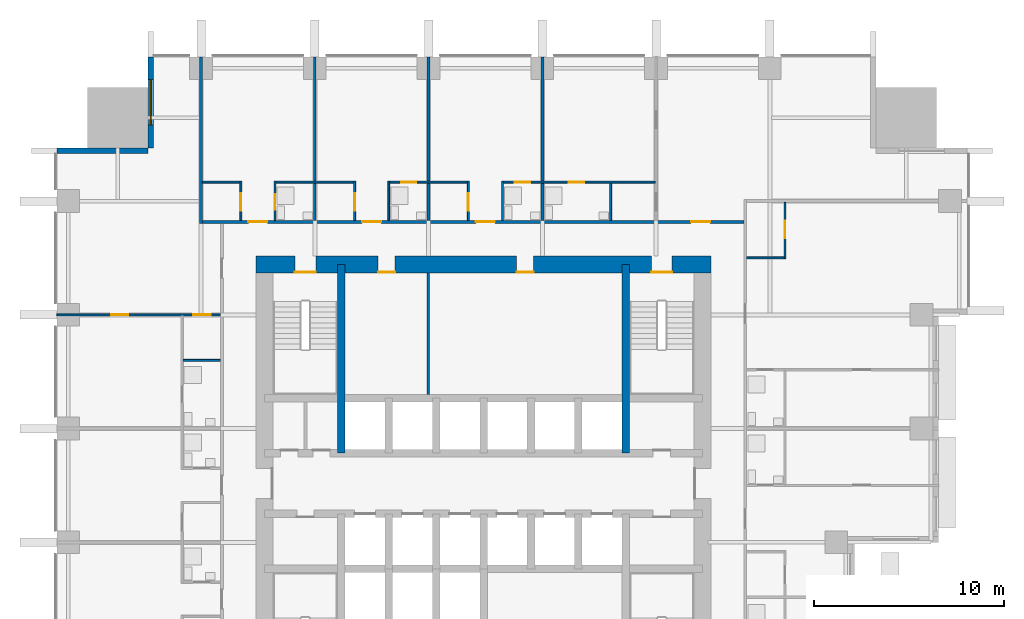
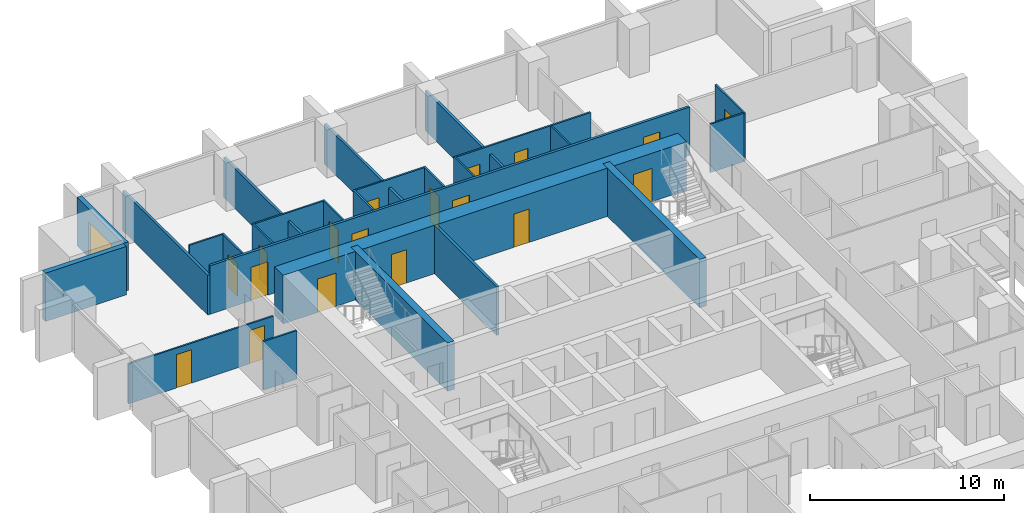
# One storey, part 7 of 10: 26 walls, 18 doors, 1 window, 19 openings.
"""IFC4 building model written with IfcOpenShell, lengths in metres."""

from ifc_helpers import new_model, si_unit, direction, frame, frame_2d, origin, place, context, subcontext, project, spatial, rectangle, extrude, material, layer, layer_set, type_object, element, fill, save


model = new_model("IFC4")

# Units and contexts
model_context = context("Model", 3, precision=1e-05, world=origin(), true_north=direction((0.0, 1.0)))
body_context = subcontext(model_context, "Body", "Model", "MODEL_VIEW")
ifc_project = project(units=[si_unit("LENGTHUNIT", "METRE"), si_unit("AREAUNIT", "SQUARE_METRE"), si_unit("VOLUMEUNIT", "CUBIC_METRE"), si_unit("PLANEANGLEUNIT", "RADIAN"), si_unit("MASSUNIT", "GRAM", prefix="KILO")], contexts=[model_context])

# Site, building, storey
site_placement = place(None, origin())
site = spatial("IfcSite", under=ifc_project, at=site_placement, CompositionType="ELEMENT")
building_placement = place(site_placement, origin())
building = spatial("IfcBuilding", under=site, at=building_placement, Name="Amberfall Residences", CompositionType="ELEMENT")
storey_placement = place(building_placement, frame((0.0, 0.0, 30.10009765625)))
storey = spatial("IfcBuildingStorey", under=building, at=storey_placement, Name="L07", CompositionType="ELEMENT", Elevation=30.10009765625)

# Wall, opening, window
ifc_material_1 = material(Name="Pale stone cladding on insulated backing", Category="masonry")
ifc_layer_1 = layer(ifc_material_1, 0.300048828125)
ifc_layer_set_1 = layer_set([ifc_layer_1], Name="Bronze clad wall 300")
wall_type_1 = type_object("IfcWallType", Name="Bronze clad wall 300", PredefinedType="SOLIDWALL", material=ifc_layer_set_1)
wall_1_placement = place(storey_placement, frame((56.949951171875, 68.0, 0.0), z_axis=(0.0, 0.0, 1.0), x_axis=(0.0, -1.0, 0.0)))
wall_1 = element("IfcWall", 1, at=wall_1_placement, inside=storey, type_object=wall_type_1, Name="External wall L07 NW", PredefinedType="SOLIDWALL", context=body_context, shape_type="SweptSolid", body=[
    extrude(rectangle(XDim=4.800048828125, YDim=0.300048828125, at=frame_2d((2.39990234375, 0.0))), origin(), (0.0, 0.0, 1.0), 3.0498046875),
])
opening_1_placement = place(wall_1_placement, frame((1.199951171875, 0.0, 0.14990234375)))
opening_1 = element("IfcOpeningElement", 2, at=opening_1_placement, cuts=wall_1, Name="Opening WN5", PredefinedType="OPENING", context=body_context, shape_type="SweptSolid", body=[
    extrude(rectangle(XDim=2.39990234375, YDim=2.10009765625, at=frame_2d((1.199951171875, 1.050048828125))), frame((0.0, 0.159912109375, 0.0), z_axis=(0.0, -1.0, 0.0), x_axis=(1.0, 0.0, 0.0)), (0.0, 0.0, 1.0), 0.320068359375),
])
ifc_material_2 = material(Name="Bronze aluminium framed glazing", Category="aluminium")
window_type = type_object("IfcWindowType", Name="Glazed opening 2400 x 2100 bronze", PartitioningType="DOUBLE_PANEL_VERTICAL", PredefinedType="WINDOW", material=ifc_material_2)
window_placement = place(opening_1_placement, origin())
window = element("IfcWindow", 3, at=window_placement, inside=storey, type_object=window_type, Name="Window L07 NW", OverallHeight=2.10009765625, OverallWidth=2.39990234375, PartitioningType="DOUBLE_PANEL_VERTICAL", PredefinedType="WINDOW", context=body_context, shape_type="SweptSolid", body=[
    extrude(rectangle(XDim=2.39990234375, YDim=2.10009765625, at=frame_2d((1.199951171875, 1.050048828125))), frame((0.0, 0.030029296875, 0.0), z_axis=(0.0, -1.0, 0.0), x_axis=(1.0, 0.0, 0.0)), (0.0, 0.0, 1.0), 0.06005859375),
])
fill(opening_1, window)

# Walls
wall_2_placement = place(storey_placement, frame((56.800048828125, 63.050048828125, 0.0), z_axis=(0.0, 0.0, 1.0), x_axis=(-1.0, 0.0, 0.0)))
element("IfcWall", 4, at=wall_2_placement, inside=storey, type_object=wall_type_1, Name="External wall L07 NW", PredefinedType="SOLIDWALL", context=body_context, shape_type="SweptSolid", body=[
    extrude(rectangle(XDim=4.800048828125, YDim=0.300048828125, at=frame_2d((2.39990234375, 0.0))), origin(), (0.0, 0.0, 1.0), 3.0498046875),
])
ifc_material_3 = material(Name="Concrete C80", Category="concrete")
ifc_layer_2 = layer(ifc_material_3, 0.39990234375)
ifc_layer_set_2 = layer_set([ifc_layer_2], Name="Core wall 400 C80")
wall_type_2 = type_object("IfcWallType", Name="Core wall 400 C80", PredefinedType="SHEAR", material=ifc_layer_set_2)
for number, where, z_axis, x_axis, name in (
    (5, (67.0, 47.10009765625, 0.0), (0.0, 0.0, 1.0), (0.0, 1.0, 0.0), "Core wall RW2 L07 V45N"),
    (6, (82.0, 47.10009765625, 0.0), (0.0, 0.0, 1.0), (0.0, 1.0, 0.0), "Core wall RW2 L07 V195N"),
):
    element("IfcWall", number, at=place(storey_placement, frame(where, z_axis=z_axis, x_axis=x_axis)), inside=storey, type_object=wall_type_2, Name=name, PredefinedType="SHEAR", context=body_context, shape_type="SweptSolid", body=[
        extrude(rectangle(XDim=9.949951171875, YDim=0.39990234375, at=frame_2d((4.97509765625, 0.0))), origin(), (0.0, 0.0, 1.0), 3.0498046875),
    ])

# Wall, openings, doors
ifc_layer_3 = layer(ifc_material_3, 0.89990234375)
ifc_layer_set_3 = layer_set([ifc_layer_3], Name="Core wall 900 C80")
wall_type_3 = type_object("IfcWallType", Name="Core wall 900 C80", PredefinedType="SHEAR", material=ifc_layer_set_3)
wall_3_placement = place(storey_placement, frame((62.5, 57.050048828125, 0.0), z_axis=(0.0, 0.0, 1.0), x_axis=(1.0, 0.0, 0.0)))
wall_3 = element("IfcWall", 7, at=wall_3_placement, inside=storey, type_object=wall_type_3, Name="Core wall RW1 L07 ON", PredefinedType="SHEAR", context=body_context, shape_type="SweptSolid", body=[
    extrude(rectangle(XDim=24.0, YDim=0.89990234375, at=frame_2d((12.0, 0.0))), origin(), (0.0, 0.0, 1.0), 3.0498046875),
])
opening_2_placement = place(wall_3_placement, frame((20.85009765625, 0.0, 0.0)))
opening_2 = element("IfcOpeningElement", 8, at=opening_2_placement, cuts=wall_3, Name="Opening SD1", PredefinedType="OPENING", context=body_context, shape_type="SweptSolid", body=[
    extrude(rectangle(XDim=1.10009765625, YDim=2.10009765625, at=frame_2d((0.550048828125, 1.050048828125))), frame((0.0, 0.4599609375, 0.0), z_axis=(0.0, -1.0, 0.0), x_axis=(1.0, 0.0, 0.0)), (0.0, 0.0, 1.0), 0.919921875),
])
opening_3_placement = place(wall_3_placement, frame((2.050048828125, 0.0, 0.0)))
opening_3 = element("IfcOpeningElement", 9, at=opening_3_placement, cuts=wall_3, Name="Opening SD1", PredefinedType="OPENING", context=body_context, shape_type="SweptSolid", body=[
    extrude(rectangle(XDim=1.10009765625, YDim=2.10009765625, at=frame_2d((0.550048828125, 1.050048828125))), frame((0.0, 0.4599609375, 0.0), z_axis=(0.0, -1.0, 0.0), x_axis=(1.0, 0.0, 0.0)), (0.0, 0.0, 1.0), 0.919921875),
])
opening_4_placement = place(wall_3_placement, frame((6.43994140625, 0.0, 0.0)))
opening_4 = element("IfcOpeningElement", 10, at=opening_4_placement, cuts=wall_3, Name="Opening RD1", PredefinedType="OPENING", context=body_context, shape_type="SweptSolid", body=[
    extrude(rectangle(XDim=0.89990234375, YDim=2.10009765625, at=frame_2d((0.449951171875, 1.050048828125))), frame((0.0, 0.4599609375, 0.0), z_axis=(0.0, -1.0, 0.0), x_axis=(1.0, 0.0, 0.0)), (0.0, 0.0, 1.0), 0.919921875),
])
opening_5_placement = place(wall_3_placement, frame((13.739990234375, 0.0, 0.0)))
opening_5 = element("IfcOpeningElement", 11, at=opening_5_placement, cuts=wall_3, Name="Opening RD1", PredefinedType="OPENING", context=body_context, shape_type="SweptSolid", body=[
    extrude(rectangle(XDim=0.89990234375, YDim=2.10009765625, at=frame_2d((0.449951171875, 1.050048828125))), frame((0.0, 0.4599609375, 0.0), z_axis=(0.0, -1.0, 0.0), x_axis=(1.0, 0.0, 0.0)), (0.0, 0.0, 1.0), 0.919921875),
])
ifc_material_4 = material(Name="Steel fire door set", Category="steel")
door_type_1 = type_object("IfcDoorType", Name="Service room door 900 x 2100", OperationType="SINGLE_SWING_LEFT", PredefinedType="DOOR", material=ifc_material_4)
door_1_placement = place(opening_4_placement, origin())
door_1 = element("IfcDoor", 12, at=door_1_placement, inside=storey, type_object=door_type_1, Name="RD1 L07", OperationType="SINGLE_SWING_RIGHT", OverallHeight=2.10009765625, OverallWidth=0.89990234375, PredefinedType="DOOR", context=body_context, shape_type="SweptSolid", body=[
    extrude(rectangle(XDim=0.89990234375, YDim=2.10009765625, at=frame_2d((0.449951171875, 1.050048828125))), frame((0.0, -0.3876953125, 0.0), z_axis=(0.0, -1.0, 0.0), x_axis=(1.0, 0.0, 0.0)), (0.0, 0.0, 1.0), 0.050048828125),
])
fill(opening_4, door_1)
door_2_placement = place(opening_5_placement, origin())
door_2 = element("IfcDoor", 13, at=door_2_placement, inside=storey, type_object=door_type_1, Name="RD1 L07", OperationType="SINGLE_SWING_RIGHT", OverallHeight=2.10009765625, OverallWidth=0.89990234375, PredefinedType="DOOR", context=body_context, shape_type="SweptSolid", body=[
    extrude(rectangle(XDim=0.89990234375, YDim=2.10009765625, at=frame_2d((0.449951171875, 1.050048828125))), frame((0.0, -0.3876953125, 0.0), z_axis=(0.0, -1.0, 0.0), x_axis=(1.0, 0.0, 0.0)), (0.0, 0.0, 1.0), 0.050048828125),
])
fill(opening_5, door_2)
door_type_2 = type_object("IfcDoorType", Name="Stair door 1100 x 2100", OperationType="SINGLE_SWING_LEFT", PredefinedType="DOOR", material=ifc_material_4)
door_3_placement = place(opening_2_placement, origin())
door_3 = element("IfcDoor", 14, at=door_3_placement, inside=storey, type_object=door_type_2, Name="SD1 L07", OperationType="SINGLE_SWING_RIGHT", OverallHeight=2.10009765625, OverallWidth=1.10009765625, PredefinedType="DOOR", context=body_context, shape_type="SweptSolid", body=[
    extrude(rectangle(XDim=1.10009765625, YDim=2.10009765625, at=frame_2d((0.550048828125, 1.050048828125))), frame((0.0, -0.3876953125, 0.0), z_axis=(0.0, -1.0, 0.0), x_axis=(1.0, 0.0, 0.0)), (0.0, 0.0, 1.0), 0.050048828125),
])
fill(opening_2, door_3)
door_4_placement = place(opening_3_placement, origin())
door_4 = element("IfcDoor", 15, at=door_4_placement, inside=storey, type_object=door_type_2, Name="SD1 L07", OperationType="SINGLE_SWING_LEFT", OverallHeight=2.10009765625, OverallWidth=1.10009765625, PredefinedType="DOOR", context=body_context, shape_type="SweptSolid", body=[
    extrude(rectangle(XDim=1.10009765625, YDim=2.10009765625, at=frame_2d((0.550048828125, 1.050048828125))), frame((0.0, -0.3876953125, 0.0), z_axis=(0.0, -1.0, 0.0), x_axis=(1.0, 0.0, 0.0)), (0.0, 0.0, 1.0), 0.050048828125),
])
fill(opening_3, door_4)

# Wall, opening, door
ifc_material_5 = material(Name="Gypsum board on metal stud")
ifc_layer_4 = layer(ifc_material_5, 0.10009765625)
ifc_layer_set_4 = layer_set([ifc_layer_4], Name="Flat partition 100")
wall_type_4 = type_object("IfcWallType", Name="Flat partition 100", PredefinedType="PARTITIONING", material=ifc_layer_set_4)
wall_4_placement = place(storey_placement, frame((61.699951171875, 59.375, 0.0), z_axis=(0.0, 0.0, 1.0), x_axis=(0.0, 1.0, 0.0)))
wall_4 = element("IfcWall", 16, at=wall_4_placement, inside=storey, type_object=wall_type_4, Name="Partition 005", PredefinedType="PARTITIONING", context=body_context, shape_type="SweptSolid", body=[
    extrude(rectangle(XDim=2.074951171875, YDim=0.10009765625, at=frame_2d((1.03759765625, 0.0))), origin(), (0.0, 0.0, 1.0), 3.0498046875),
])
opening_6_placement = place(wall_4_placement, frame((0.52490234375, 0.0, 0.0)))
opening_6 = element("IfcOpeningElement", 17, at=opening_6_placement, cuts=wall_4, Name="Opening D41", PredefinedType="OPENING", context=body_context, shape_type="SweptSolid", body=[
    extrude(rectangle(XDim=0.89990234375, YDim=2.10009765625, at=frame_2d((0.449951171875, 1.050048828125))), frame((0.0, 0.06005859375, 0.0), z_axis=(0.0, -1.0, 0.0), x_axis=(1.0, 0.0, 0.0)), (0.0, 0.0, 1.0), 0.1201171875),
])
ifc_material_6 = material(Name="Timber", Category="wood")
door_type_3 = type_object("IfcDoorType", Name="Internal door 900 x 2100", OperationType="SINGLE_SWING_LEFT", PredefinedType="DOOR", material=ifc_material_6)
door_5_placement = place(opening_6_placement, origin())
door_5 = element("IfcDoor", 18, at=door_5_placement, inside=storey, type_object=door_type_3, Name="Door 0707 kitchen", OperationType="SINGLE_SWING_LEFT", OverallHeight=2.10009765625, OverallWidth=0.89990234375, PredefinedType="DOOR", context=body_context, shape_type="SweptSolid", body=[
    extrude(rectangle(XDim=0.89990234375, YDim=2.10009765625, at=frame_2d((0.449951171875, 1.050048828125))), frame((0.0, 0.02490234375, 0.0), z_axis=(0.0, -1.0, 0.0), x_axis=(1.0, 0.0, 0.0)), (0.0, 0.0, 1.0), 0.050048828125),
])
fill(opening_6, door_5)

wall_5_placement = place(storey_placement, frame((63.5, 61.449951171875, 0.0), z_axis=(0.0, 0.0, 1.0), x_axis=(0.0, -1.0, 0.0)))
wall_5 = element("IfcWall", 19, at=wall_5_placement, inside=storey, type_object=wall_type_4, Name="Partition 006", PredefinedType="PARTITIONING", context=body_context, shape_type="SweptSolid", body=[
    extrude(rectangle(XDim=2.074951171875, YDim=0.10009765625, at=frame_2d((1.03759765625, 0.0))), origin(), (0.0, 0.0, 1.0), 3.0498046875),
])
opening_7_placement = place(wall_5_placement, frame((0.699951171875, 0.0, 0.0)))
opening_7 = element("IfcOpeningElement", 20, at=opening_7_placement, cuts=wall_5, Name="Opening D42", PredefinedType="OPENING", context=body_context, shape_type="SweptSolid", body=[
    extrude(rectangle(XDim=0.800048828125, YDim=2.10009765625, at=frame_2d((0.39990234375, 1.050048828125))), frame((0.0, 0.06005859375, 0.0), z_axis=(0.0, -1.0, 0.0), x_axis=(1.0, 0.0, 0.0)), (0.0, 0.0, 1.0), 0.1201171875),
])
door_type_4 = type_object("IfcDoorType", Name="Bathroom door 800 x 2100", OperationType="SINGLE_SWING_LEFT", PredefinedType="DOOR", material=ifc_material_6)
door_6_placement = place(opening_7_placement, origin())
door_6 = element("IfcDoor", 21, at=door_6_placement, inside=storey, type_object=door_type_4, Name="Door 0707 bath1", OperationType="SINGLE_SWING_LEFT", OverallHeight=2.10009765625, OverallWidth=0.800048828125, PredefinedType="DOOR", context=body_context, shape_type="SweptSolid", body=[
    extrude(rectangle(XDim=0.800048828125, YDim=2.10009765625, at=frame_2d((0.39990234375, 1.050048828125))), frame((0.0, 0.02490234375, 0.0), z_axis=(0.0, -1.0, 0.0), x_axis=(1.0, 0.0, 0.0)), (0.0, 0.0, 1.0), 0.050048828125),
])
fill(opening_7, door_6)

wall_6_placement = place(storey_placement, frame((67.699951171875, 59.375, 0.0), z_axis=(0.0, 0.0, 1.0), x_axis=(0.0, 1.0, 0.0)))
wall_6 = element("IfcWall", 22, at=wall_6_placement, inside=storey, type_object=wall_type_4, Name="Partition 007", PredefinedType="PARTITIONING", context=body_context, shape_type="SweptSolid", body=[
    extrude(rectangle(XDim=2.074951171875, YDim=0.10009765625, at=frame_2d((1.03759765625, 0.0))), origin(), (0.0, 0.0, 1.0), 3.0498046875),
])
opening_8_placement = place(wall_6_placement, frame((0.52490234375, 0.0, 0.0)))
opening_8 = element("IfcOpeningElement", 23, at=opening_8_placement, cuts=wall_6, Name="Opening D41", PredefinedType="OPENING", context=body_context, shape_type="SweptSolid", body=[
    extrude(rectangle(XDim=0.89990234375, YDim=2.10009765625, at=frame_2d((0.449951171875, 1.050048828125))), frame((0.0, 0.06005859375, 0.0), z_axis=(0.0, -1.0, 0.0), x_axis=(1.0, 0.0, 0.0)), (0.0, 0.0, 1.0), 0.1201171875),
])
door_7_placement = place(opening_8_placement, origin())
door_7 = element("IfcDoor", 24, at=door_7_placement, inside=storey, type_object=door_type_3, Name="Door 0708 kitchen", OperationType="SINGLE_SWING_LEFT", OverallHeight=2.10009765625, OverallWidth=0.89990234375, PredefinedType="DOOR", context=body_context, shape_type="SweptSolid", body=[
    extrude(rectangle(XDim=0.89990234375, YDim=2.10009765625, at=frame_2d((0.449951171875, 1.050048828125))), frame((0.0, 0.02490234375, 0.0), z_axis=(0.0, -1.0, 0.0), x_axis=(1.0, 0.0, 0.0)), (0.0, 0.0, 1.0), 0.050048828125),
])
fill(opening_8, door_7)

# Wall
wall_7_placement = place(storey_placement, frame((69.5, 59.375, 0.0), z_axis=(0.0, 0.0, 1.0), x_axis=(0.0, 1.0, 0.0)))
element("IfcWall", 25, at=wall_7_placement, inside=storey, type_object=wall_type_4, Name="Partition 009", PredefinedType="PARTITIONING", context=body_context, shape_type="SweptSolid", body=[
    extrude(rectangle(XDim=2.074951171875, YDim=0.10009765625, at=frame_2d((1.03759765625, 0.0))), origin(), (0.0, 0.0, 1.0), 3.0498046875),
])

# Wall, opening, door
wall_8_placement = place(storey_placement, frame((73.699951171875, 59.375, 0.0), z_axis=(0.0, 0.0, 1.0), x_axis=(0.0, 1.0, 0.0)))
wall_8 = element("IfcWall", 26, at=wall_8_placement, inside=storey, type_object=wall_type_4, Name="Partition 011", PredefinedType="PARTITIONING", context=body_context, shape_type="SweptSolid", body=[
    extrude(rectangle(XDim=2.074951171875, YDim=0.10009765625, at=frame_2d((1.03759765625, 0.0))), origin(), (0.0, 0.0, 1.0), 3.0498046875),
])
opening_9_placement = place(wall_8_placement, frame((0.52490234375, 0.0, 0.0)))
opening_9 = element("IfcOpeningElement", 27, at=opening_9_placement, cuts=wall_8, Name="Opening D41", PredefinedType="OPENING", context=body_context, shape_type="SweptSolid", body=[
    extrude(rectangle(XDim=0.89990234375, YDim=2.10009765625, at=frame_2d((0.449951171875, 1.050048828125))), frame((0.0, 0.06005859375, 0.0), z_axis=(0.0, -1.0, 0.0), x_axis=(1.0, 0.0, 0.0)), (0.0, 0.0, 1.0), 0.1201171875),
])
door_8_placement = place(opening_9_placement, origin())
door_8 = element("IfcDoor", 28, at=door_8_placement, inside=storey, type_object=door_type_3, Name="Door 0709 kitchen", OperationType="SINGLE_SWING_LEFT", OverallHeight=2.10009765625, OverallWidth=0.89990234375, PredefinedType="DOOR", context=body_context, shape_type="SweptSolid", body=[
    extrude(rectangle(XDim=0.89990234375, YDim=2.10009765625, at=frame_2d((0.449951171875, 1.050048828125))), frame((0.0, 0.02490234375, 0.0), z_axis=(0.0, -1.0, 0.0), x_axis=(1.0, 0.0, 0.0)), (0.0, 0.0, 1.0), 0.050048828125),
])
fill(opening_9, door_8)

# Walls
wall_9_placement = place(storey_placement, frame((75.5, 59.375, 0.0), z_axis=(0.0, 0.0, 1.0), x_axis=(0.0, 1.0, 0.0)))
element("IfcWall", 29, at=wall_9_placement, inside=storey, type_object=wall_type_4, Name="Partition 012", PredefinedType="PARTITIONING", context=body_context, shape_type="SweptSolid", body=[
    extrude(rectangle(XDim=2.074951171875, YDim=0.10009765625, at=frame_2d((1.03759765625, 0.0))), origin(), (0.0, 0.0, 1.0), 3.0498046875),
])
wall_10_placement = place(storey_placement, frame((81.199951171875, 59.375, 0.0), z_axis=(0.0, 0.0, 1.0), x_axis=(0.0, 1.0, 0.0)))
element("IfcWall", 30, at=wall_10_placement, inside=storey, type_object=wall_type_4, Name="Partition 015", PredefinedType="PARTITIONING", context=body_context, shape_type="SweptSolid", body=[
    extrude(rectangle(XDim=1.97509765625, YDim=0.10009765625, at=frame_2d((0.987548828125, 0.0))), origin(), (0.0, 0.0, 1.0), 3.0498046875),
])

# Wall, opening, door
wall_11_placement = place(storey_placement, frame((90.39990234375, 57.35009765625, 0.0), z_axis=(0.0, 0.0, 1.0), x_axis=(0.0, 1.0, 0.0)))
wall_11 = element("IfcWall", 31, at=wall_11_placement, inside=storey, type_object=wall_type_4, Name="Partition 022", PredefinedType="PARTITIONING", context=body_context, shape_type="SweptSolid", body=[
    extrude(rectangle(XDim=2.974853515625, YDim=0.10009765625, at=frame_2d((1.4873046875, 0.0))), origin(), (0.0, 0.0, 1.0), 3.0498046875),
])
opening_10_placement = place(wall_11_placement, frame((1.10009765625, 0.0, 0.0)))
opening_10 = element("IfcOpeningElement", 32, at=opening_10_placement, cuts=wall_11, Name="Opening D41", PredefinedType="OPENING", context=body_context, shape_type="SweptSolid", body=[
    extrude(rectangle(XDim=0.89990234375, YDim=2.10009765625, at=frame_2d((0.449951171875, 1.050048828125))), frame((0.0, 0.06005859375, 0.0), z_axis=(0.0, -1.0, 0.0), x_axis=(1.0, 0.0, 0.0)), (0.0, 0.0, 1.0), 0.1201171875),
])
door_9_placement = place(opening_10_placement, origin())
door_9 = element("IfcDoor", 33, at=door_9_placement, inside=storey, type_object=door_type_3, Name="Door 0706 kitchen", OperationType="SINGLE_SWING_LEFT", OverallHeight=2.10009765625, OverallWidth=0.89990234375, PredefinedType="DOOR", context=body_context, shape_type="SweptSolid", body=[
    extrude(rectangle(XDim=0.89990234375, YDim=2.10009765625, at=frame_2d((0.449951171875, 1.050048828125))), frame((0.0, 0.02490234375, 0.0), z_axis=(0.0, -1.0, 0.0), x_axis=(1.0, 0.0, 0.0)), (0.0, 0.0, 1.0), 0.050048828125),
])
fill(opening_10, door_9)

# Walls
wall_12_placement = place(storey_placement, frame((59.675048828125, 61.39990234375, 0.0), z_axis=(0.0, 0.0, 1.0), x_axis=(1.0, 0.0, 0.0)))
element("IfcWall", 34, at=wall_12_placement, inside=storey, type_object=wall_type_4, Name="Partition 023", PredefinedType="PARTITIONING", context=body_context, shape_type="SweptSolid", body=[
    extrude(rectangle(XDim=1.974853515625, YDim=0.10009765625, at=frame_2d((0.9873046875, 0.0))), origin(), (0.0, 0.0, 1.0), 3.0498046875),
])
wall_13_placement = place(storey_placement, frame((63.550048828125, 61.39990234375, 0.0), z_axis=(0.0, 0.0, 1.0), x_axis=(1.0, 0.0, 0.0)))
element("IfcWall", 35, at=wall_13_placement, inside=storey, type_object=wall_type_4, Name="Partition 024", PredefinedType="PARTITIONING", context=body_context, shape_type="SweptSolid", body=[
    extrude(rectangle(XDim=4.099853515625, YDim=0.10009765625, at=frame_2d((2.0498046875, 0.0))), origin(), (0.0, 0.0, 1.0), 3.0498046875),
])

# Wall, opening, door
wall_14_placement = place(storey_placement, frame((73.64990234375, 61.39990234375, 0.0), z_axis=(0.0, 0.0, 1.0), x_axis=(-1.0, 0.0, 0.0)))
wall_14 = element("IfcWall", 36, at=wall_14_placement, inside=storey, type_object=wall_type_4, Name="Partition 025", PredefinedType="PARTITIONING", context=body_context, shape_type="SweptSolid", body=[
    extrude(rectangle(XDim=4.099853515625, YDim=0.10009765625, at=frame_2d((2.0498046875, 0.0))), origin(), (0.0, 0.0, 1.0), 3.0498046875),
])
opening_11_placement = place(wall_14_placement, frame((2.699951171875, 0.0, 0.0)))
opening_11 = element("IfcOpeningElement", 37, at=opening_11_placement, cuts=wall_14, Name="Opening D42", PredefinedType="OPENING", context=body_context, shape_type="SweptSolid", body=[
    extrude(rectangle(XDim=0.800048828125, YDim=2.10009765625, at=frame_2d((0.39990234375, 1.050048828125))), frame((0.0, 0.06005859375, 0.0), z_axis=(0.0, -1.0, 0.0), x_axis=(1.0, 0.0, 0.0)), (0.0, 0.0, 1.0), 0.1201171875),
])
door_10_placement = place(opening_11_placement, origin())
door_10 = element("IfcDoor", 38, at=door_10_placement, inside=storey, type_object=door_type_4, Name="Door 0708 bath1", OperationType="SINGLE_SWING_LEFT", OverallHeight=2.10009765625, OverallWidth=0.800048828125, PredefinedType="DOOR", context=body_context, shape_type="SweptSolid", body=[
    extrude(rectangle(XDim=0.800048828125, YDim=2.10009765625, at=frame_2d((0.39990234375, 1.050048828125))), frame((0.0, 0.02490234375, 0.0), z_axis=(0.0, -1.0, 0.0), x_axis=(1.0, 0.0, 0.0)), (0.0, 0.0, 1.0), 0.050048828125),
])
fill(opening_11, door_10)

# Wall, openings, doors
wall_15_placement = place(storey_placement, frame((83.550048828125, 61.39990234375, 0.0), z_axis=(0.0, 0.0, 1.0), x_axis=(-1.0, 0.0, 0.0)))
wall_15 = element("IfcWall", 39, at=wall_15_placement, inside=storey, type_object=wall_type_4, Name="Partition 026", PredefinedType="PARTITIONING", context=body_context, shape_type="SweptSolid", body=[
    extrude(rectangle(XDim=8.0, YDim=0.10009765625, at=frame_2d((4.0, 0.0))), origin(), (0.0, 0.0, 1.0), 3.0498046875),
])
opening_12_placement = place(wall_15_placement, frame((6.60009765625, 0.0, 0.0)))
opening_12 = element("IfcOpeningElement", 40, at=opening_12_placement, cuts=wall_15, Name="Opening D42", PredefinedType="OPENING", context=body_context, shape_type="SweptSolid", body=[
    extrude(rectangle(XDim=0.800048828125, YDim=2.10009765625, at=frame_2d((0.39990234375, 1.050048828125))), frame((0.0, 0.06005859375, 0.0), z_axis=(0.0, -1.0, 0.0), x_axis=(1.0, 0.0, 0.0)), (0.0, 0.0, 1.0), 0.1201171875),
])
opening_13_placement = place(wall_15_placement, frame((3.75, 0.0, 0.0)))
opening_13 = element("IfcOpeningElement", 41, at=opening_13_placement, cuts=wall_15, Name="Opening D42", PredefinedType="OPENING", context=body_context, shape_type="SweptSolid", body=[
    extrude(rectangle(XDim=0.800048828125, YDim=2.10009765625, at=frame_2d((0.39990234375, 1.050048828125))), frame((0.0, 0.06005859375, 0.0), z_axis=(0.0, -1.0, 0.0), x_axis=(1.0, 0.0, 0.0)), (0.0, 0.0, 1.0), 0.1201171875),
])
door_11_placement = place(opening_12_placement, origin())
door_11 = element("IfcDoor", 42, at=door_11_placement, inside=storey, type_object=door_type_4, Name="Door 0709 bath1", OperationType="SINGLE_SWING_LEFT", OverallHeight=2.10009765625, OverallWidth=0.800048828125, PredefinedType="DOOR", context=body_context, shape_type="SweptSolid", body=[
    extrude(rectangle(XDim=0.800048828125, YDim=2.10009765625, at=frame_2d((0.39990234375, 1.050048828125))), frame((0.0, 0.02490234375, 0.0), z_axis=(0.0, -1.0, 0.0), x_axis=(1.0, 0.0, 0.0)), (0.0, 0.0, 1.0), 0.050048828125),
])
fill(opening_12, door_11)
door_12_placement = place(opening_13_placement, origin())
door_12 = element("IfcDoor", 43, at=door_12_placement, inside=storey, type_object=door_type_4, Name="Door 0710 bath1", OperationType="SINGLE_SWING_LEFT", OverallHeight=2.10009765625, OverallWidth=0.800048828125, PredefinedType="DOOR", context=body_context, shape_type="SweptSolid", body=[
    extrude(rectangle(XDim=0.800048828125, YDim=2.10009765625, at=frame_2d((0.39990234375, 1.050048828125))), frame((0.0, 0.02490234375, 0.0), z_axis=(0.0, -1.0, 0.0), x_axis=(1.0, 0.0, 0.0)), (0.0, 0.0, 1.0), 0.050048828125),
])
fill(opening_13, door_12)

# Wall
wall_16_placement = place(storey_placement, frame((88.375, 57.39990234375, 0.0), z_axis=(0.0, 0.0, 1.0), x_axis=(1.0, 0.0, 0.0)))
element("IfcWall", 44, at=wall_16_placement, inside=storey, type_object=wall_type_4, Name="Partition 027", PredefinedType="PARTITIONING", context=body_context, shape_type="SweptSolid", body=[
    extrude(rectangle(XDim=1.97509765625, YDim=0.10009765625, at=frame_2d((0.987548828125, 0.0))), origin(), (0.0, 0.0, 1.0), 3.0498046875),
])

# Wall, openings, doors
wall_17_placement = place(storey_placement, frame((60.625, 54.39990234375, 0.0), z_axis=(0.0, 0.0, 1.0), x_axis=(-1.0, 0.0, 0.0)))
wall_17 = element("IfcWall", 45, at=wall_17_placement, inside=storey, type_object=wall_type_4, Name="Partition 028", PredefinedType="PARTITIONING", context=body_context, shape_type="SweptSolid", body=[
    extrude(rectangle(XDim=8.625, YDim=0.10009765625, at=frame_2d((4.3125, 0.0))), origin(), (0.0, 0.0, 1.0), 2.515869140625),
])
opening_14_placement = place(wall_17_placement, frame((0.52490234375, 0.0, 0.0)))
opening_14 = element("IfcOpeningElement", 46, at=opening_14_placement, cuts=wall_17, Name="Opening D41", PredefinedType="OPENING", context=body_context, shape_type="SweptSolid", body=[
    extrude(rectangle(XDim=0.89990234375, YDim=2.10009765625, at=frame_2d((0.449951171875, 1.050048828125))), frame((0.0, 0.06005859375, 0.0), z_axis=(0.0, -1.0, 0.0), x_axis=(1.0, 0.0, 0.0)), (0.0, 0.0, 1.0), 0.1201171875),
])
opening_15_placement = place(wall_17_placement, frame((4.875, 0.0, 0.0)))
opening_15 = element("IfcOpeningElement", 47, at=opening_15_placement, cuts=wall_17, Name="Opening D41", PredefinedType="OPENING", context=body_context, shape_type="SweptSolid", body=[
    extrude(rectangle(XDim=0.89990234375, YDim=2.10009765625, at=frame_2d((0.449951171875, 1.050048828125))), frame((0.0, 0.06005859375, 0.0), z_axis=(0.0, -1.0, 0.0), x_axis=(1.0, 0.0, 0.0)), (0.0, 0.0, 1.0), 0.1201171875),
])
door_13_placement = place(opening_14_placement, origin())
door_13 = element("IfcDoor", 48, at=door_13_placement, inside=storey, type_object=door_type_3, Name="Door 0714 kitchen", OperationType="SINGLE_SWING_LEFT", OverallHeight=2.10009765625, OverallWidth=0.89990234375, PredefinedType="DOOR", context=body_context, shape_type="SweptSolid", body=[
    extrude(rectangle(XDim=0.89990234375, YDim=2.10009765625, at=frame_2d((0.449951171875, 1.050048828125))), frame((0.0, 0.02490234375, 0.0), z_axis=(0.0, -1.0, 0.0), x_axis=(1.0, 0.0, 0.0)), (0.0, 0.0, 1.0), 0.050048828125),
])
fill(opening_14, door_13)
door_14_placement = place(opening_15_placement, origin())
door_14 = element("IfcDoor", 49, at=door_14_placement, inside=storey, type_object=door_type_3, Name="Door 0714 bedroom1", OperationType="SINGLE_SWING_LEFT", OverallHeight=2.10009765625, OverallWidth=0.89990234375, PredefinedType="DOOR", context=body_context, shape_type="SweptSolid", body=[
    extrude(rectangle(XDim=0.89990234375, YDim=2.10009765625, at=frame_2d((0.449951171875, 1.050048828125))), frame((0.0, 0.02490234375, 0.0), z_axis=(0.0, -1.0, 0.0), x_axis=(1.0, 0.0, 0.0)), (0.0, 0.0, 1.0), 0.050048828125),
])
fill(opening_15, door_14)

# Walls
wall_18_placement = place(storey_placement, frame((58.64990234375, 52.0, 0.0), z_axis=(0.0, 0.0, 1.0), x_axis=(1.0, 0.0, 0.0)))
element("IfcWall", 50, at=wall_18_placement, inside=storey, type_object=wall_type_4, Name="Partition 029", PredefinedType="PARTITIONING", context=body_context, shape_type="SweptSolid", body=[
    extrude(rectangle(XDim=1.97509765625, YDim=0.10009765625, at=frame_2d((0.987548828125, 0.0))), origin(), (0.0, 0.0, 1.0), 3.0498046875),
])
ifc_material_7 = material(Name="Blockwork, plastered", Category="masonry")
ifc_layer_5 = layer(ifc_material_7, 0.14990234375)
ifc_layer_set_5 = layer_set([ifc_layer_5], Name="Flat separating wall 150")
wall_type_5 = type_object("IfcWallType", Name="Flat separating wall 150", PredefinedType="PARTITIONING", material=ifc_layer_set_5)
wall_19_placement = place(storey_placement, frame((59.60009765625, 59.22509765625, 0.0), z_axis=(0.0, 0.0, 1.0), x_axis=(0.0, 1.0, 0.0)))
element("IfcWall", 51, at=wall_19_placement, inside=storey, type_object=wall_type_5, Name="Separating wall 044", PredefinedType="PARTITIONING", context=body_context, shape_type="SweptSolid", body=[
    extrude(rectangle(XDim=8.77490234375, YDim=0.14990234375, at=frame_2d((4.387451171875, 0.0))), origin(), (0.0, 0.0, 1.0), 2.510009765625),
])
for number, where, z_axis, x_axis, name in (
    (52, (65.60009765625, 59.375, 0.0), (0.0, 0.0, 1.0), (0.0, 1.0, 0.0), "Separating wall 046"),
    (53, (71.60009765625, 59.375, 0.0), (0.0, 0.0, 1.0), (0.0, 1.0, 0.0), "Separating wall 047"),
    (54, (77.60009765625, 59.375, 0.0), (0.0, 0.0, 1.0), (0.0, 1.0, 0.0), "Separating wall 049"),
):
    element("IfcWall", number, at=place(storey_placement, frame(where, z_axis=z_axis, x_axis=x_axis)), inside=storey, type_object=wall_type_5, Name=name, PredefinedType="PARTITIONING", context=body_context, shape_type="SweptSolid", body=[
        extrude(rectangle(XDim=8.625, YDim=0.14990234375, at=frame_2d((4.3125, 0.0))), origin(), (0.0, 0.0, 1.0), 2.515869140625),
    ])

# Wall, openings, doors
wall_20_placement = place(storey_placement, frame((59.675048828125, 59.300048828125, 0.0), z_axis=(0.0, 0.0, 1.0), x_axis=(1.0, 0.0, 0.0)))
wall_20 = element("IfcWall", 55, at=wall_20_placement, inside=storey, type_object=wall_type_5, Name="Separating wall 054", PredefinedType="PARTITIONING", context=body_context, shape_type="SweptSolid", body=[
    extrude(rectangle(XDim=28.550048828125, YDim=0.14990234375, at=frame_2d((14.27490234375, 0.0))), origin(), (0.0, 0.0, 1.0), 3.0498046875),
])
opening_16_placement = place(wall_20_placement, frame((2.425048828125, 0.0, 0.0)))
opening_16 = element("IfcOpeningElement", 56, at=opening_16_placement, cuts=wall_20, Name="Opening D40", PredefinedType="OPENING", context=body_context, shape_type="SweptSolid", body=[
    extrude(rectangle(XDim=1.0, YDim=2.10009765625, at=frame_2d((0.5, 1.050048828125))), frame((0.0, 0.0849609375, 0.0), z_axis=(0.0, -1.0, 0.0), x_axis=(1.0, 0.0, 0.0)), (0.0, 0.0, 1.0), 0.169921875),
])
opening_17_placement = place(wall_20_placement, frame((8.425048828125, 0.0, 0.0)))
opening_17 = element("IfcOpeningElement", 57, at=opening_17_placement, cuts=wall_20, Name="Opening D40", PredefinedType="OPENING", context=body_context, shape_type="SweptSolid", body=[
    extrude(rectangle(XDim=1.0, YDim=2.10009765625, at=frame_2d((0.5, 1.050048828125))), frame((0.0, 0.0849609375, 0.0), z_axis=(0.0, -1.0, 0.0), x_axis=(1.0, 0.0, 0.0)), (0.0, 0.0, 1.0), 0.169921875),
])
opening_18_placement = place(wall_20_placement, frame((14.425048828125, 0.0, 0.0)))
opening_18 = element("IfcOpeningElement", 58, at=opening_18_placement, cuts=wall_20, Name="Opening D40", PredefinedType="OPENING", context=body_context, shape_type="SweptSolid", body=[
    extrude(rectangle(XDim=1.0, YDim=2.10009765625, at=frame_2d((0.5, 1.050048828125))), frame((0.0, 0.0849609375, 0.0), z_axis=(0.0, -1.0, 0.0), x_axis=(1.0, 0.0, 0.0)), (0.0, 0.0, 1.0), 0.169921875),
])
opening_19_placement = place(wall_20_placement, frame((25.77490234375, 0.0, 0.0)))
opening_19 = element("IfcOpeningElement", 59, at=opening_19_placement, cuts=wall_20, Name="Opening D40", PredefinedType="OPENING", context=body_context, shape_type="SweptSolid", body=[
    extrude(rectangle(XDim=1.0, YDim=2.10009765625, at=frame_2d((0.5, 1.050048828125))), frame((0.0, 0.0849609375, 0.0), z_axis=(0.0, -1.0, 0.0), x_axis=(1.0, 0.0, 0.0)), (0.0, 0.0, 1.0), 0.169921875),
])
ifc_material_8 = material(Name="Timber, fire-rated", Category="wood")
door_type_5 = type_object("IfcDoorType", Name="Flat entrance door FD60 1000 x 2100", OperationType="SINGLE_SWING_LEFT", PredefinedType="DOOR", material=ifc_material_8)
door_15_placement = place(opening_16_placement, origin())
door_15 = element("IfcDoor", 60, at=door_15_placement, inside=storey, type_object=door_type_5, Name="Door 0707 entrance", OperationType="SINGLE_SWING_LEFT", OverallHeight=2.10009765625, OverallWidth=1.0, PredefinedType="DOOR", context=body_context, shape_type="SweptSolid", body=[
    extrude(rectangle(XDim=1.0, YDim=2.10009765625, at=frame_2d((0.5, 1.050048828125))), frame((0.0, 0.02490234375, 0.0), z_axis=(0.0, -1.0, 0.0), x_axis=(1.0, 0.0, 0.0)), (0.0, 0.0, 1.0), 0.050048828125),
])
fill(opening_16, door_15)
door_16_placement = place(opening_17_placement, origin())
door_16 = element("IfcDoor", 61, at=door_16_placement, inside=storey, type_object=door_type_5, Name="Door 0708 entrance", OperationType="SINGLE_SWING_LEFT", OverallHeight=2.10009765625, OverallWidth=1.0, PredefinedType="DOOR", context=body_context, shape_type="SweptSolid", body=[
    extrude(rectangle(XDim=1.0, YDim=2.10009765625, at=frame_2d((0.5, 1.050048828125))), frame((0.0, 0.02490234375, 0.0), z_axis=(0.0, -1.0, 0.0), x_axis=(1.0, 0.0, 0.0)), (0.0, 0.0, 1.0), 0.050048828125),
])
fill(opening_17, door_16)
door_17_placement = place(opening_18_placement, origin())
door_17 = element("IfcDoor", 62, at=door_17_placement, inside=storey, type_object=door_type_5, Name="Door 0709 entrance", OperationType="SINGLE_SWING_LEFT", OverallHeight=2.10009765625, OverallWidth=1.0, PredefinedType="DOOR", context=body_context, shape_type="SweptSolid", body=[
    extrude(rectangle(XDim=1.0, YDim=2.10009765625, at=frame_2d((0.5, 1.050048828125))), frame((0.0, 0.02490234375, 0.0), z_axis=(0.0, -1.0, 0.0), x_axis=(1.0, 0.0, 0.0)), (0.0, 0.0, 1.0), 0.050048828125),
])
fill(opening_18, door_17)
door_18_placement = place(opening_19_placement, origin())
door_18 = element("IfcDoor", 63, at=door_18_placement, inside=storey, type_object=door_type_5, Name="Door 0710 entrance", OperationType="SINGLE_SWING_LEFT", OverallHeight=2.10009765625, OverallWidth=1.0, PredefinedType="DOOR", context=body_context, shape_type="SweptSolid", body=[
    extrude(rectangle(XDim=1.0, YDim=2.10009765625, at=frame_2d((0.5, 1.050048828125))), frame((0.0, 0.02490234375, 0.0), z_axis=(0.0, -1.0, 0.0), x_axis=(1.0, 0.0, 0.0)), (0.0, 0.0, 1.0), 0.050048828125),
])
fill(opening_19, door_18)

# Wall
ifc_material_9 = material(Name="Concrete blockwork", Category="masonry")
ifc_layer_6 = layer(ifc_material_9, 0.14990234375)
ifc_layer_set_6 = layer_set([ifc_layer_6], Name="Riser wall 150")
wall_type_6 = type_object("IfcWallType", Name="Riser wall 150", PredefinedType="PLUMBINGWALL", material=ifc_layer_set_6)
wall_21_placement = place(storey_placement, frame((71.580078125, 50.199951171875, 0.0), z_axis=(0.0, 0.0, 1.0), x_axis=(0.0, 1.0, 0.0)))
element("IfcWall", 64, at=wall_21_placement, inside=storey, type_object=wall_type_6, Name="L07 core wall N0", PredefinedType="PLUMBINGWALL", context=body_context, shape_type="SweptSolid", body=[
    extrude(rectangle(XDim=6.400146484375, YDim=0.14990234375, at=frame_2d((3.2001953125, 0.0))), origin(), (0.0, 0.0, 1.0), 3.0498046875),
])

save(model, "model.ifc")
